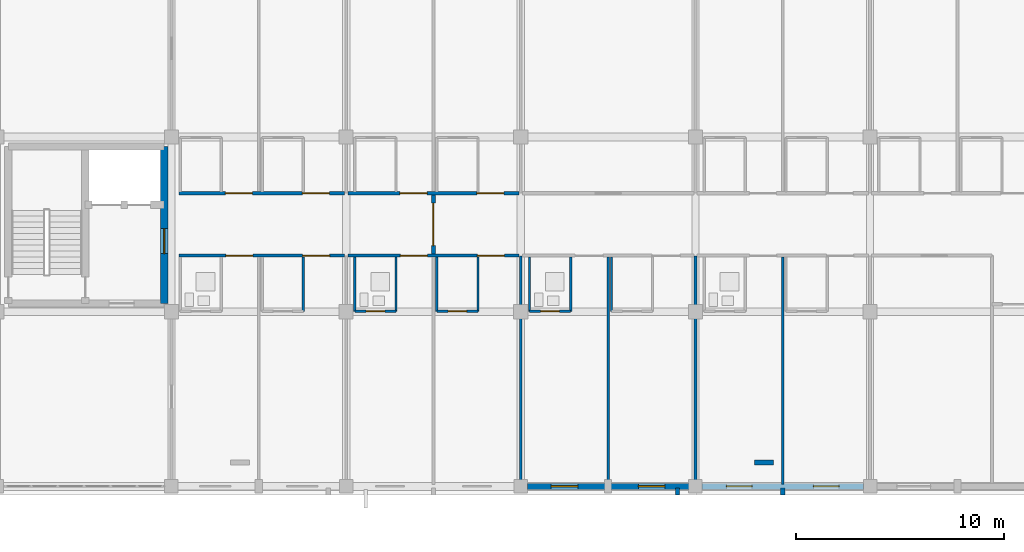
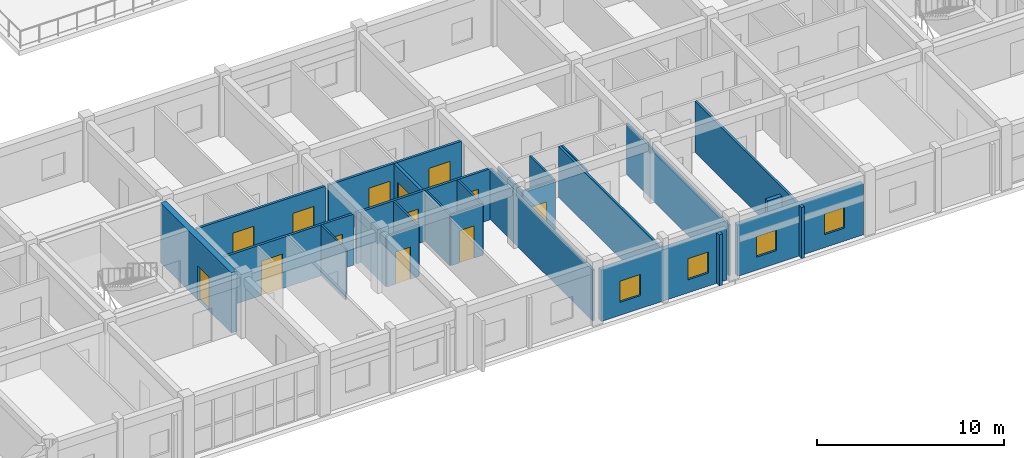
# One storey, part 62 of 90: 26 walls, 13 doors, 4 windows, 17 openings.
"""IFC4 building model written with IfcOpenShell, lengths in metres."""

from ifc_helpers import new_model, si_unit, direction, frame, frame_2d, origin, place, context, subcontext, project, spatial, rectangle, extrude, material, layer, layer_set, type_object, element, fill, save


model = new_model("IFC4")

# Units and contexts
model_context = context("Model", 3, precision=1e-05, world=origin(), true_north=direction((0.0, 1.0)))
body_context = subcontext(model_context, "Body", "Model", "MODEL_VIEW")
ifc_project = project(units=[si_unit("LENGTHUNIT", "METRE"), si_unit("AREAUNIT", "SQUARE_METRE"), si_unit("VOLUMEUNIT", "CUBIC_METRE"), si_unit("PLANEANGLEUNIT", "RADIAN"), si_unit("MASSUNIT", "GRAM", prefix="KILO")], contexts=[model_context])

# Site, building, storey
site_placement = place(None, origin())
site = spatial("IfcSite", under=ifc_project, at=site_placement, CompositionType="ELEMENT")
building_placement = place(site_placement, origin())
building = spatial("IfcBuilding", under=site, at=building_placement, Name="Trelvath General Hospital", CompositionType="ELEMENT")
storey_placement = place(building_placement, frame((0.0, 0.0, 20.39990234375)))
storey = spatial("IfcBuildingStorey", under=building, at=storey_placement, Name="L05", CompositionType="ELEMENT", Elevation=20.39990234375)

# Walls
ifc_material_1 = material(Name="Precast concrete C40/50", Category="concrete")
ifc_layer_1 = layer(ifc_material_1, 0.199951171875)
ifc_layer_set_1 = layer_set([ifc_layer_1], Name="Precast concrete C40/50")
wall_type_1 = type_object("IfcWallType", Name="BriseSoleilRib 200", PredefinedType="ELEMENTEDWALL", material=ifc_layer_set_1)
for number, where, z_axis, x_axis, name in (
    (1, (74.73681640625, -0.074951171875, 0.0), (0.0, 0.0, 1.0), (0.0, -1.0, 0.0), "Precast Concrete Brise-Soleil Rib Fin L05-378"),
    (2, (79.800048828125, -0.074951171875, 0.0), (0.0, 0.0, 1.0), (0.0, -1.0, 0.0), "Precast Concrete Brise-Soleil Rib Fin L05-382"),
):
    element("IfcWall", number, at=place(storey_placement, frame(where, z_axis=z_axis, x_axis=x_axis)), inside=storey, type_object=wall_type_1, Name=name, PredefinedType="ELEMENTEDWALL", context=body_context, shape_type="SweptSolid", body=[
        extrude(rectangle(XDim=0.340087890625, YDim=0.199951171875, at=frame_2d((0.169921875, 0.0))), origin(), (0.0, 0.0, 1.0), 3.320068359375),
    ])

# Wall, openings, doors
ifc_material_2 = material(Name="Gypsum acoustic steel-stud partition", Category="steel")
ifc_layer_2 = layer(ifc_material_2, 0.14990234375)
ifc_layer_set_2 = layer_set([ifc_layer_2], Name="Gypsum acoustic steel-stud partition")
wall_type_2 = type_object("IfcWallType", Name="ClinicalPartition 150", PredefinedType="PARTITIONING", material=ifc_layer_set_2)
wall_1_placement = place(storey_placement, frame((50.760009765625, 11.10009765625, 0.0), z_axis=(0.0, 0.0, 1.0), x_axis=(1.0, 0.0, 0.0)))
wall_1 = element("IfcWall", 3, at=wall_1_placement, inside=storey, type_object=wall_type_2, Name="Corridor Partition L05-1759", PredefinedType="PARTITIONING", context=body_context, shape_type="SweptSolid", body=[
    extrude(rectangle(XDim=7.9599609375, YDim=0.14990234375, at=frame_2d((3.97998046875, 0.0))), origin(), (0.0, 0.0, 1.0), 3.320068359375),
])
opening_1_placement = place(wall_1_placement, frame((2.25, 0.0, 0.0)))
opening_1 = element("IfcOpeningElement", 4, at=opening_1_placement, cuts=wall_1, Name="Opening D-5-1172", PredefinedType="OPENING", context=body_context, shape_type="SweptSolid", body=[
    extrude(rectangle(XDim=1.300048828125, YDim=2.25, at=frame_2d((0.64990234375, 1.125))), frame((0.0, 0.0849609375, 0.0), z_axis=(0.0, -1.0, 0.0), x_axis=(1.0, 0.0, 0.0)), (0.0, 0.0, 1.0), 0.169921875),
])
opening_2_placement = place(wall_1_placement, frame((5.949951171875, 0.0, 0.0)))
opening_2 = element("IfcOpeningElement", 5, at=opening_2_placement, cuts=wall_1, Name="Opening D-5-1173", PredefinedType="OPENING", context=body_context, shape_type="SweptSolid", body=[
    extrude(rectangle(XDim=1.300048828125, YDim=2.25, at=frame_2d((0.64990234375, 1.125))), frame((0.0, 0.0849609375, 0.0), z_axis=(0.0, -1.0, 0.0), x_axis=(1.0, 0.0, 0.0)), (0.0, 0.0, 1.0), 0.169921875),
])
ifc_material_3 = material(Name="Hospital bed-leaf timber door", Category="wood")
door_type_1 = type_object("IfcDoorType", Name="Door PatientBed 1300x2250", OperationType="NOTDEFINED", PredefinedType="DOOR", material=ifc_material_3)
door_1_placement = place(opening_1_placement, origin())
door_1 = element("IfcDoor", 6, at=door_1_placement, inside=storey, type_object=door_type_1, Name="Patient Room Door L05-1172", OperationType="SINGLE_SWING_RIGHT", OverallHeight=2.25, OverallWidth=1.300048828125, PredefinedType="DOOR", context=body_context, shape_type="SweptSolid", body=[
    extrude(rectangle(XDim=1.300048828125, YDim=2.25, at=frame_2d((0.64990234375, 1.125))), frame((0.0, 0.02490234375, 0.0), z_axis=(0.0, -1.0, 0.0), x_axis=(1.0, 0.0, 0.0)), (0.0, 0.0, 1.0), 0.050048828125),
])
fill(opening_1, door_1)
door_2_placement = place(opening_2_placement, origin())
door_2 = element("IfcDoor", 7, at=door_2_placement, inside=storey, type_object=door_type_1, Name="Patient Room Door L05-1173", OperationType="SINGLE_SWING_LEFT", OverallHeight=2.25, OverallWidth=1.300048828125, PredefinedType="DOOR", context=body_context, shape_type="SweptSolid", body=[
    extrude(rectangle(XDim=1.300048828125, YDim=2.25, at=frame_2d((0.64990234375, 1.125))), frame((0.0, 0.02490234375, 0.0), z_axis=(0.0, -1.0, 0.0), x_axis=(1.0, 0.0, 0.0)), (0.0, 0.0, 1.0), 0.050048828125),
])
fill(opening_2, door_2)

wall_2_placement = place(storey_placement, frame((58.719970703125, 14.10009765625, 0.0), z_axis=(0.0, 0.0, 1.0), x_axis=(-1.0, 0.0, 0.0)))
wall_2 = element("IfcWall", 8, at=wall_2_placement, inside=storey, type_object=wall_type_2, Name="Corridor Partition N L05-1768", PredefinedType="PARTITIONING", context=body_context, shape_type="SweptSolid", body=[
    extrude(rectangle(XDim=7.9599609375, YDim=0.14990234375, at=frame_2d((3.97998046875, 0.0))), origin(), (0.0, 0.0, 1.0), 3.320068359375),
])
opening_3_placement = place(wall_2_placement, frame((0.72998046875, 0.0, 0.0)))
opening_3 = element("IfcOpeningElement", 9, at=opening_3_placement, cuts=wall_2, Name="Opening D-5-1176", PredefinedType="OPENING", context=body_context, shape_type="SweptSolid", body=[
    extrude(rectangle(XDim=1.300048828125, YDim=2.25, at=frame_2d((0.64990234375, 1.125))), frame((0.0, 0.0849609375, 0.0), z_axis=(0.0, -1.0, 0.0), x_axis=(1.0, 0.0, 0.0)), (0.0, 0.0, 1.0), 0.169921875),
])
opening_4_placement = place(wall_2_placement, frame((4.429931640625, 0.0, 0.0)))
opening_4 = element("IfcOpeningElement", 10, at=opening_4_placement, cuts=wall_2, Name="Opening D-5-1177", PredefinedType="OPENING", context=body_context, shape_type="SweptSolid", body=[
    extrude(rectangle(XDim=1.300048828125, YDim=2.25, at=frame_2d((0.64990234375, 1.125))), frame((0.0, 0.0849609375, 0.0), z_axis=(0.0, -1.0, 0.0), x_axis=(1.0, 0.0, 0.0)), (0.0, 0.0, 1.0), 0.169921875),
])
door_3_placement = place(opening_3_placement, origin())
door_3 = element("IfcDoor", 11, at=door_3_placement, inside=storey, type_object=door_type_1, Name="Patient Room Door N L05-1176", OperationType="SINGLE_SWING_RIGHT", OverallHeight=2.25, OverallWidth=1.300048828125, PredefinedType="DOOR", context=body_context, shape_type="SweptSolid", body=[
    extrude(rectangle(XDim=1.300048828125, YDim=2.25, at=frame_2d((0.64990234375, 1.125))), frame((0.0, 0.02490234375, 0.0), z_axis=(0.0, -1.0, 0.0), x_axis=(1.0, 0.0, 0.0)), (0.0, 0.0, 1.0), 0.050048828125),
])
fill(opening_3, door_3)
door_4_placement = place(opening_4_placement, origin())
door_4 = element("IfcDoor", 12, at=door_4_placement, inside=storey, type_object=door_type_1, Name="Patient Room Door N L05-1177", OperationType="SINGLE_SWING_RIGHT", OverallHeight=2.25, OverallWidth=1.300048828125, PredefinedType="DOOR", context=body_context, shape_type="SweptSolid", body=[
    extrude(rectangle(XDim=1.300048828125, YDim=2.25, at=frame_2d((0.64990234375, 1.125))), frame((0.0, 0.02490234375, 0.0), z_axis=(0.0, -1.0, 0.0), x_axis=(1.0, 0.0, 0.0)), (0.0, 0.0, 1.0), 0.050048828125),
])
fill(opening_4, door_4)

wall_3_placement = place(storey_placement, frame((58.8798828125, 11.10009765625, 0.0), z_axis=(0.0, 0.0, 1.0), x_axis=(1.0, 0.0, 0.0)))
wall_3 = element("IfcWall", 13, at=wall_3_placement, inside=storey, type_object=wall_type_2, Name="Corridor Partition L05-1778", PredefinedType="PARTITIONING", context=body_context, shape_type="SweptSolid", body=[
    extrude(rectangle(XDim=8.240234375, YDim=0.14990234375, at=frame_2d((4.1201171875, 0.0))), origin(), (0.0, 0.0, 1.0), 3.320068359375),
])
opening_5_placement = place(wall_3_placement, frame((2.530029296875, 0.0, 0.0)))
opening_5 = element("IfcOpeningElement", 14, at=opening_5_placement, cuts=wall_3, Name="Opening D-5-1180", PredefinedType="OPENING", context=body_context, shape_type="SweptSolid", body=[
    extrude(rectangle(XDim=1.300048828125, YDim=2.25, at=frame_2d((0.64990234375, 1.125))), frame((0.0, 0.0849609375, 0.0), z_axis=(0.0, -1.0, 0.0), x_axis=(1.0, 0.0, 0.0)), (0.0, 0.0, 1.0), 0.169921875),
])
opening_6_placement = place(wall_3_placement, frame((6.22998046875, 0.0, 0.0)))
opening_6 = element("IfcOpeningElement", 15, at=opening_6_placement, cuts=wall_3, Name="Opening D-5-1181", PredefinedType="OPENING", context=body_context, shape_type="SweptSolid", body=[
    extrude(rectangle(XDim=1.300048828125, YDim=2.25, at=frame_2d((0.64990234375, 1.125))), frame((0.0, 0.0849609375, 0.0), z_axis=(0.0, -1.0, 0.0), x_axis=(1.0, 0.0, 0.0)), (0.0, 0.0, 1.0), 0.169921875),
])
door_5_placement = place(opening_5_placement, origin())
door_5 = element("IfcDoor", 16, at=door_5_placement, inside=storey, type_object=door_type_1, Name="Patient Room Door L05-1180", OperationType="SINGLE_SWING_LEFT", OverallHeight=2.25, OverallWidth=1.300048828125, PredefinedType="DOOR", context=body_context, shape_type="SweptSolid", body=[
    extrude(rectangle(XDim=1.300048828125, YDim=2.25, at=frame_2d((0.64990234375, 1.125))), frame((0.0, 0.02490234375, 0.0), z_axis=(0.0, -1.0, 0.0), x_axis=(1.0, 0.0, 0.0)), (0.0, 0.0, 1.0), 0.050048828125),
])
fill(opening_5, door_5)
door_6_placement = place(opening_6_placement, origin())
door_6 = element("IfcDoor", 17, at=door_6_placement, inside=storey, type_object=door_type_1, Name="Patient Room Door L05-1181", OperationType="SINGLE_SWING_RIGHT", OverallHeight=2.25, OverallWidth=1.300048828125, PredefinedType="DOOR", context=body_context, shape_type="SweptSolid", body=[
    extrude(rectangle(XDim=1.300048828125, YDim=2.25, at=frame_2d((0.64990234375, 1.125))), frame((0.0, 0.02490234375, 0.0), z_axis=(0.0, -1.0, 0.0), x_axis=(1.0, 0.0, 0.0)), (0.0, 0.0, 1.0), 0.050048828125),
])
fill(opening_6, door_6)

wall_4_placement = place(storey_placement, frame((67.1201171875, 14.10009765625, 0.0), z_axis=(0.0, 0.0, 1.0), x_axis=(-1.0, 0.0, 0.0)))
wall_4 = element("IfcWall", 18, at=wall_4_placement, inside=storey, type_object=wall_type_2, Name="Corridor Partition N L05-1786", PredefinedType="PARTITIONING", context=body_context, shape_type="SweptSolid", body=[
    extrude(rectangle(XDim=8.240234375, YDim=0.14990234375, at=frame_2d((4.1201171875, 0.0))), origin(), (0.0, 0.0, 1.0), 3.320068359375),
])
opening_7_placement = place(wall_4_placement, frame((0.72998046875, 0.0, 0.0)))
opening_7 = element("IfcOpeningElement", 19, at=opening_7_placement, cuts=wall_4, Name="Opening D-5-1184", PredefinedType="OPENING", context=body_context, shape_type="SweptSolid", body=[
    extrude(rectangle(XDim=1.300048828125, YDim=2.25, at=frame_2d((0.64990234375, 1.125))), frame((0.0, 0.0849609375, 0.0), z_axis=(0.0, -1.0, 0.0), x_axis=(1.0, 0.0, 0.0)), (0.0, 0.0, 1.0), 0.169921875),
])
opening_8_placement = place(wall_4_placement, frame((4.429931640625, 0.0, 0.0)))
opening_8 = element("IfcOpeningElement", 20, at=opening_8_placement, cuts=wall_4, Name="Opening D-5-1185", PredefinedType="OPENING", context=body_context, shape_type="SweptSolid", body=[
    extrude(rectangle(XDim=1.300048828125, YDim=2.25, at=frame_2d((0.64990234375, 1.125))), frame((0.0, 0.0849609375, 0.0), z_axis=(0.0, -1.0, 0.0), x_axis=(1.0, 0.0, 0.0)), (0.0, 0.0, 1.0), 0.169921875),
])
door_7_placement = place(opening_7_placement, origin())
door_7 = element("IfcDoor", 21, at=door_7_placement, inside=storey, type_object=door_type_1, Name="Patient Room Door N L05-1184", OperationType="SINGLE_SWING_LEFT", OverallHeight=2.25, OverallWidth=1.300048828125, PredefinedType="DOOR", context=body_context, shape_type="SweptSolid", body=[
    extrude(rectangle(XDim=1.300048828125, YDim=2.25, at=frame_2d((0.64990234375, 1.125))), frame((0.0, 0.02490234375, 0.0), z_axis=(0.0, -1.0, 0.0), x_axis=(1.0, 0.0, 0.0)), (0.0, 0.0, 1.0), 0.050048828125),
])
fill(opening_7, door_7)
door_8_placement = place(opening_8_placement, origin())
door_8 = element("IfcDoor", 22, at=door_8_placement, inside=storey, type_object=door_type_1, Name="Patient Room Door N L05-1185", OperationType="SINGLE_SWING_LEFT", OverallHeight=2.25, OverallWidth=1.300048828125, PredefinedType="DOOR", context=body_context, shape_type="SweptSolid", body=[
    extrude(rectangle(XDim=1.300048828125, YDim=2.25, at=frame_2d((0.64990234375, 1.125))), frame((0.0, 0.02490234375, 0.0), z_axis=(0.0, -1.0, 0.0), x_axis=(1.0, 0.0, 0.0)), (0.0, 0.0, 1.0), 0.050048828125),
])
fill(opening_8, door_8)

# Wall, opening, door
ifc_material_4 = material(Name="Concrete C40/50", Category="concrete")
ifc_layer_3 = layer(ifc_material_4, 0.35009765625)
ifc_layer_set_3 = layer_set([ifc_layer_3], Name="Concrete C40/50")
wall_type_3 = type_object("IfcWallType", Name="CoreShearWall 350", PredefinedType="SHEAR", material=ifc_layer_set_3)
wall_5_placement = place(storey_placement, frame((50.050048828125, 8.800048828125, 0.0), z_axis=(0.0, 0.0, 1.0), x_axis=(0.0, 1.0, 0.0)))
wall_5 = element("IfcWall", 23, at=wall_5_placement, inside=storey, type_object=wall_type_3, Name="Core Shear Wall C4 E L05", PredefinedType="SHEAR", context=body_context, shape_type="SweptSolid", body=[
    extrude(rectangle(XDim=7.550048828125, YDim=0.35009765625, at=frame_2d((3.77490234375, 0.0))), origin(), (0.0, 0.0, 1.0), 3.920166015625),
])
opening_9_placement = place(wall_5_placement, frame((2.39990234375, 0.0, 0.0)))
opening_9 = element("IfcOpeningElement", 24, at=opening_9_placement, cuts=wall_5, Name="Opening FD-LE45", PredefinedType="OPENING", context=body_context, shape_type="SweptSolid", body=[
    extrude(rectangle(XDim=1.199951171875, YDim=2.199951171875, at=frame_2d((0.60009765625, 1.10009765625))), frame((0.0, 0.18505859375, 0.0), z_axis=(0.0, -1.0, 0.0), x_axis=(1.0, 0.0, 0.0)), (0.0, 0.0, 1.0), 0.3701171875),
])
ifc_material_5 = material(Name="Fire-rated steel door", Category="steel")
door_type_2 = type_object("IfcDoorType", Name="Door FireLobby 1200x2200", OperationType="NOTDEFINED", PredefinedType="DOOR", material=ifc_material_5)
door_9_placement = place(opening_9_placement, origin())
door_9 = element("IfcDoor", 25, at=door_9_placement, inside=storey, type_object=door_type_2, Name="Fire Lobby East Corridor Door C4 L05", OperationType="SINGLE_SWING_RIGHT", OverallHeight=2.199951171875, OverallWidth=1.199951171875, PredefinedType="DOOR", context=body_context, shape_type="SweptSolid", body=[
    extrude(rectangle(XDim=1.199951171875, YDim=2.199951171875, at=frame_2d((0.60009765625, 1.10009765625))), frame((0.0, 0.02490234375, 0.0), z_axis=(0.0, -1.0, 0.0), x_axis=(1.0, 0.0, 0.0)), (0.0, 0.0, 1.0), 0.050048828125),
])
fill(opening_9, door_9)

# Walls
ifc_material_6 = material(Name="Moisture-resistant tile partition")
ifc_layer_4 = layer(ifc_material_6, 0.110107421875)
ifc_layer_set_4 = layer_set([ifc_layer_4], Name="Moisture-resistant tile partition")
wall_type_4 = type_object("IfcWallType", Name="EnSuiteWetWall 110", PredefinedType="PARTITIONING", material=ifc_layer_set_4)
for number, where, z_axis, x_axis, name in (
    (26, (56.739990234375, 8.419921875, 0.0), (0.0, 0.0, 1.0), (0.0, 1.0, 0.0), "En-Suite E Wall L05-1765"),
    (27, (59.219970703125, 8.419921875, 0.0), (0.0, 0.0, 1.0), (0.0, 1.0, 0.0), "En-Suite W Wall L05-1780"),
    (28, (61.199951171875, 8.419921875, 0.0), (0.0, 0.0, 1.0), (0.0, 1.0, 0.0), "En-Suite E Wall L05-1781"),
):
    element("IfcWall", number, at=place(storey_placement, frame(where, z_axis=z_axis, x_axis=x_axis)), inside=storey, type_object=wall_type_4, Name=name, PredefinedType="PARTITIONING", context=body_context, shape_type="SweptSolid", body=[
        extrude(rectangle(XDim=2.610107421875, YDim=0.110107421875, at=frame_2d((1.30517578125, 0.0))), origin(), (0.0, 0.0, 1.0), 3.320068359375),
    ])

# Wall, opening, door
wall_6_placement = place(storey_placement, frame((59.219970703125, 8.419921875, 0.0), z_axis=(0.0, 0.0, 1.0), x_axis=(1.0, 0.0, 0.0)))
wall_6 = element("IfcWall", 29, at=wall_6_placement, inside=storey, type_object=wall_type_4, Name="En-Suite Bathroom Partition L05-1782", PredefinedType="PARTITIONING", context=body_context, shape_type="SweptSolid", body=[
    extrude(rectangle(XDim=1.97998046875, YDim=0.110107421875, at=frame_2d((0.989990234375, 0.0))), origin(), (0.0, 0.0, 1.0), 3.320068359375),
])
opening_10_placement = place(wall_6_placement, frame((0.5400390625, 0.0, 0.0)))
opening_10 = element("IfcOpeningElement", 30, at=opening_10_placement, cuts=wall_6, Name="Opening D-5-1182", PredefinedType="OPENING", context=body_context, shape_type="SweptSolid", body=[
    extrude(rectangle(XDim=0.89990234375, YDim=2.10009765625, at=frame_2d((0.449951171875, 1.050048828125))), frame((0.0, 0.06494140625, 0.0), z_axis=(0.0, -1.0, 0.0), x_axis=(1.0, 0.0, 0.0)), (0.0, 0.0, 1.0), 0.130126953125),
])
ifc_material_7 = material(Name="Moisture-sealed timber leaf", Category="wood")
door_type_3 = type_object("IfcDoorType", Name="Door EnSuite 900x2100", OperationType="NOTDEFINED", PredefinedType="DOOR", material=ifc_material_7)
door_10_placement = place(opening_10_placement, origin())
door_10 = element("IfcDoor", 31, at=door_10_placement, inside=storey, type_object=door_type_3, Name="En-Suite Bathroom Door L05-1182", OperationType="SINGLE_SWING_LEFT", OverallHeight=2.10009765625, OverallWidth=0.89990234375, PredefinedType="DOOR", context=body_context, shape_type="SweptSolid", body=[
    extrude(rectangle(XDim=0.89990234375, YDim=2.10009765625, at=frame_2d((0.449951171875, 1.050048828125))), frame((0.0, 0.02490234375, 0.0), z_axis=(0.0, -1.0, 0.0), x_axis=(1.0, 0.0, 0.0)), (0.0, 0.0, 1.0), 0.050048828125),
])
fill(opening_10, door_10)

# Walls
for number, where, z_axis, x_axis, name in (
    (32, (63.159912109375, 8.419921875, 0.0), (0.0, 0.0, 1.0), (0.0, 1.0, 0.0), "En-Suite W Wall L05-1783"),
    (33, (65.139892578125, 8.419921875, 0.0), (0.0, 0.0, 1.0), (0.0, 1.0, 0.0), "En-Suite E Wall L05-1784"),
):
    element("IfcWall", number, at=place(storey_placement, frame(where, z_axis=z_axis, x_axis=x_axis)), inside=storey, type_object=wall_type_4, Name=name, PredefinedType="PARTITIONING", context=body_context, shape_type="SweptSolid", body=[
        extrude(rectangle(XDim=2.610107421875, YDim=0.110107421875, at=frame_2d((1.30517578125, 0.0))), origin(), (0.0, 0.0, 1.0), 3.320068359375),
    ])

# Wall, opening, door
wall_7_placement = place(storey_placement, frame((63.159912109375, 8.419921875, 0.0), z_axis=(0.0, 0.0, 1.0), x_axis=(1.0, 0.0, 0.0)))
wall_7 = element("IfcWall", 34, at=wall_7_placement, inside=storey, type_object=wall_type_4, Name="En-Suite Bathroom Partition L05-1785", PredefinedType="PARTITIONING", context=body_context, shape_type="SweptSolid", body=[
    extrude(rectangle(XDim=1.97998046875, YDim=0.110107421875, at=frame_2d((0.989990234375, 0.0))), origin(), (0.0, 0.0, 1.0), 3.320068359375),
])
opening_11_placement = place(wall_7_placement, frame((0.5400390625, 0.0, 0.0)))
opening_11 = element("IfcOpeningElement", 35, at=opening_11_placement, cuts=wall_7, Name="Opening D-5-1183", PredefinedType="OPENING", context=body_context, shape_type="SweptSolid", body=[
    extrude(rectangle(XDim=0.89990234375, YDim=2.10009765625, at=frame_2d((0.449951171875, 1.050048828125))), frame((0.0, 0.06494140625, 0.0), z_axis=(0.0, -1.0, 0.0), x_axis=(1.0, 0.0, 0.0)), (0.0, 0.0, 1.0), 0.130126953125),
])
door_11_placement = place(opening_11_placement, origin())
door_11 = element("IfcDoor", 36, at=door_11_placement, inside=storey, type_object=door_type_3, Name="En-Suite Bathroom Door L05-1183", OperationType="SINGLE_SWING_RIGHT", OverallHeight=2.10009765625, OverallWidth=0.89990234375, PredefinedType="DOOR", context=body_context, shape_type="SweptSolid", body=[
    extrude(rectangle(XDim=0.89990234375, YDim=2.10009765625, at=frame_2d((0.449951171875, 1.050048828125))), frame((0.0, 0.02490234375, 0.0), z_axis=(0.0, -1.0, 0.0), x_axis=(1.0, 0.0, 0.0)), (0.0, 0.0, 1.0), 0.050048828125),
])
fill(opening_11, door_11)

# Walls
for number, where, z_axis, x_axis, name in (
    (37, (67.6201171875, 8.419921875, 0.0), (0.0, 0.0, 1.0), (0.0, 1.0, 0.0), "En-Suite W Wall L05-1799"),
    (38, (69.60009765625, 8.419921875, 0.0), (0.0, 0.0, 1.0), (0.0, 1.0, 0.0), "En-Suite E Wall L05-1800"),
):
    element("IfcWall", number, at=place(storey_placement, frame(where, z_axis=z_axis, x_axis=x_axis)), inside=storey, type_object=wall_type_4, Name=name, PredefinedType="PARTITIONING", context=body_context, shape_type="SweptSolid", body=[
        extrude(rectangle(XDim=2.610107421875, YDim=0.110107421875, at=frame_2d((1.30517578125, 0.0))), origin(), (0.0, 0.0, 1.0), 3.320068359375),
    ])

# Wall, opening, door
wall_8_placement = place(storey_placement, frame((67.6201171875, 8.419921875, 0.0), z_axis=(0.0, 0.0, 1.0), x_axis=(1.0, 0.0, 0.0)))
wall_8 = element("IfcWall", 39, at=wall_8_placement, inside=storey, type_object=wall_type_4, Name="En-Suite Bathroom Partition L05-1801", PredefinedType="PARTITIONING", context=body_context, shape_type="SweptSolid", body=[
    extrude(rectangle(XDim=1.97998046875, YDim=0.110107421875, at=frame_2d((0.989990234375, 0.0))), origin(), (0.0, 0.0, 1.0), 3.320068359375),
])
opening_12_placement = place(wall_8_placement, frame((0.5400390625, 0.0, 0.0)))
opening_12 = element("IfcOpeningElement", 40, at=opening_12_placement, cuts=wall_8, Name="Opening D-5-1191", PredefinedType="OPENING", context=body_context, shape_type="SweptSolid", body=[
    extrude(rectangle(XDim=0.89990234375, YDim=2.10009765625, at=frame_2d((0.449951171875, 1.050048828125))), frame((0.0, 0.06494140625, 0.0), z_axis=(0.0, -1.0, 0.0), x_axis=(1.0, 0.0, 0.0)), (0.0, 0.0, 1.0), 0.130126953125),
])
door_12_placement = place(opening_12_placement, origin())
door_12 = element("IfcDoor", 41, at=door_12_placement, inside=storey, type_object=door_type_3, Name="En-Suite Bathroom Door L05-1191", OperationType="SINGLE_SWING_RIGHT", OverallHeight=2.10009765625, OverallWidth=0.89990234375, PredefinedType="DOOR", context=body_context, shape_type="SweptSolid", body=[
    extrude(rectangle(XDim=0.89990234375, YDim=2.10009765625, at=frame_2d((0.449951171875, 1.050048828125))), frame((0.0, 0.02490234375, 0.0), z_axis=(0.0, -1.0, 0.0), x_axis=(1.0, 0.0, 0.0)), (0.0, 0.0, 1.0), 0.050048828125),
])
fill(opening_12, door_12)

# Wall
wall_9_placement = place(storey_placement, frame((71.56005859375, 8.419921875, 0.0), z_axis=(0.0, 0.0, 1.0), x_axis=(0.0, 1.0, 0.0)))
element("IfcWall", 42, at=wall_9_placement, inside=storey, type_object=wall_type_4, Name="En-Suite W Wall L05-1802", PredefinedType="PARTITIONING", context=body_context, shape_type="SweptSolid", body=[
    extrude(rectangle(XDim=2.610107421875, YDim=0.110107421875, at=frame_2d((1.30517578125, 0.0))), origin(), (0.0, 0.0, 1.0), 3.320068359375),
])

# Wall, openings, windows
ifc_material_8 = material(Name="Concrete C35/45", Category="concrete")
ifc_layer_5 = layer(ifc_material_8, 0.2900390625)
ifc_layer_set_5 = layer_set([ifc_layer_5], Name="Concrete C35/45")
wall_type_5 = type_object("IfcWallType", Name="ExtBushHammeredWall 290", PredefinedType="SOLIDWALL", material=ifc_layer_set_5)
wall_10_placement = place(storey_placement, frame((75.280029296875, 0.0, 0.0), z_axis=(0.0, 0.0, 1.0), x_axis=(-1.0, 0.0, 0.0)))
wall_10 = element("IfcWall", 43, at=wall_10_placement, inside=storey, type_object=wall_type_5, Name="Exterior Concrete Wall L05-512", PredefinedType="SOLIDWALL", context=body_context, shape_type="SweptSolid", body=[
    extrude(rectangle(XDim=7.760009765625, YDim=0.2900390625, at=frame_2d((3.8798828125, 0.0))), origin(), (0.0, 0.0, 1.0), 3.340087890625),
])
opening_13_placement = place(wall_10_placement, frame((1.144775390625, 0.0, 0.85009765625)))
opening_13 = element("IfcOpeningElement", 44, at=opening_13_placement, cuts=wall_10, Name="Opening WN-5-849", PredefinedType="OPENING", context=body_context, shape_type="SweptSolid", body=[
    extrude(rectangle(XDim=1.280029296875, YDim=1.3798828125, at=frame_2d((0.64013671875, 0.68994140625))), frame((0.0, 0.155029296875, 0.0), z_axis=(0.0, -1.0, 0.0), x_axis=(1.0, 0.0, 0.0)), (0.0, 0.0, 1.0), 0.31005859375),
])
opening_14_placement = place(wall_10_placement, frame((5.335205078125, 0.0, 0.85009765625)))
opening_14 = element("IfcOpeningElement", 45, at=opening_14_placement, cuts=wall_10, Name="Opening WN-5-850", PredefinedType="OPENING", context=body_context, shape_type="SweptSolid", body=[
    extrude(rectangle(XDim=1.280029296875, YDim=1.3798828125, at=frame_2d((0.64013671875, 0.68994140625))), frame((0.0, 0.155029296875, 0.0), z_axis=(0.0, -1.0, 0.0), x_axis=(1.0, 0.0, 0.0)), (0.0, 0.0, 1.0), 0.31005859375),
])
ifc_material_9 = material(Name="Low-E laminated glass", Category="glass")
window_type_1 = type_object("IfcWindowType", Name="Window Telemetry 1280x1380", PartitioningType="DOUBLE_PANEL_VERTICAL", PredefinedType="WINDOW", material=ifc_material_9)
window_1_placement = place(opening_13_placement, origin())
window_1 = element("IfcWindow", 46, at=window_1_placement, inside=storey, type_object=window_type_1, Name="Solar Reveal Window L05-849", OverallHeight=1.3798828125, OverallWidth=1.280029296875, PartitioningType="SINGLE_PANEL", PredefinedType="WINDOW", context=body_context, shape_type="SweptSolid", body=[
    extrude(rectangle(XDim=1.280029296875, YDim=1.3798828125, at=frame_2d((0.64013671875, 0.68994140625))), frame((0.0, 0.030029296875, 0.0), z_axis=(0.0, -1.0, 0.0), x_axis=(1.0, 0.0, 0.0)), (0.0, 0.0, 1.0), 0.06005859375),
])
fill(opening_13, window_1)
window_2_placement = place(opening_14_placement, origin())
window_2 = element("IfcWindow", 47, at=window_2_placement, inside=storey, type_object=window_type_1, Name="Solar Reveal Window L05-850", OverallHeight=1.3798828125, OverallWidth=1.280029296875, PartitioningType="SINGLE_PANEL", PredefinedType="WINDOW", context=body_context, shape_type="SweptSolid", body=[
    extrude(rectangle(XDim=1.280029296875, YDim=1.3798828125, at=frame_2d((0.64013671875, 0.68994140625))), frame((0.0, 0.030029296875, 0.0), z_axis=(0.0, -1.0, 0.0), x_axis=(1.0, 0.0, 0.0)), (0.0, 0.0, 1.0), 0.06005859375),
])
fill(opening_14, window_2)

wall_11_placement = place(storey_placement, frame((83.679931640625, 0.0, 0.0), z_axis=(0.0, 0.0, 1.0), x_axis=(-1.0, 0.0, 0.0)))
wall_11 = element("IfcWall", 48, at=wall_11_placement, inside=storey, type_object=wall_type_5, Name="Exterior Concrete Wall L05-516", PredefinedType="SOLIDWALL", context=body_context, shape_type="SweptSolid", body=[
    extrude(rectangle(XDim=7.760009765625, YDim=0.2900390625, at=frame_2d((3.8798828125, 0.0))), origin(), (0.0, 0.0, 1.0), 3.340087890625),
])
opening_15_placement = place(wall_11_placement, frame((1.164794921875, 0.0, 0.85009765625)))
opening_15 = element("IfcOpeningElement", 49, at=opening_15_placement, cuts=wall_11, Name="Opening WN-5-857", PredefinedType="OPENING", context=body_context, shape_type="SweptSolid", body=[
    extrude(rectangle(XDim=1.239990234375, YDim=1.340087890625, at=frame_2d((0.6201171875, 0.669921875))), frame((0.0, 0.155029296875, 0.0), z_axis=(0.0, -1.0, 0.0), x_axis=(1.0, 0.0, 0.0)), (0.0, 0.0, 1.0), 0.31005859375),
])
opening_16_placement = place(wall_11_placement, frame((5.355224609375, 0.0, 0.85009765625)))
opening_16 = element("IfcOpeningElement", 50, at=opening_16_placement, cuts=wall_11, Name="Opening WN-5-858", PredefinedType="OPENING", context=body_context, shape_type="SweptSolid", body=[
    extrude(rectangle(XDim=1.239990234375, YDim=1.340087890625, at=frame_2d((0.6201171875, 0.669921875))), frame((0.0, 0.155029296875, 0.0), z_axis=(0.0, -1.0, 0.0), x_axis=(1.0, 0.0, 0.0)), (0.0, 0.0, 1.0), 0.31005859375),
])
ifc_material_10 = material(Name="Low-E laminated glass", Category="glass")
window_type_2 = type_object("IfcWindowType", Name="Window Pharmacy 1240x1340", PartitioningType="DOUBLE_PANEL_VERTICAL", PredefinedType="WINDOW", material=ifc_material_10)
window_3_placement = place(opening_15_placement, origin())
window_3 = element("IfcWindow", 51, at=window_3_placement, inside=storey, type_object=window_type_2, Name="Solar Reveal Window L05-857", OverallHeight=1.340087890625, OverallWidth=1.239990234375, PartitioningType="SINGLE_PANEL", PredefinedType="WINDOW", context=body_context, shape_type="SweptSolid", body=[
    extrude(rectangle(XDim=1.239990234375, YDim=1.340087890625, at=frame_2d((0.6201171875, 0.669921875))), frame((0.0, 0.030029296875, 0.0), z_axis=(0.0, -1.0, 0.0), x_axis=(1.0, 0.0, 0.0)), (0.0, 0.0, 1.0), 0.06005859375),
])
fill(opening_15, window_3)
window_4_placement = place(opening_16_placement, origin())
window_4 = element("IfcWindow", 52, at=window_4_placement, inside=storey, type_object=window_type_2, Name="Solar Reveal Window L05-858", OverallHeight=1.340087890625, OverallWidth=1.239990234375, PartitioningType="SINGLE_PANEL", PredefinedType="WINDOW", context=body_context, shape_type="SweptSolid", body=[
    extrude(rectangle(XDim=1.239990234375, YDim=1.340087890625, at=frame_2d((0.6201171875, 0.669921875))), frame((0.0, 0.030029296875, 0.0), z_axis=(0.0, -1.0, 0.0), x_axis=(1.0, 0.0, 0.0)), (0.0, 0.0, 1.0), 0.06005859375),
])
fill(opening_16, window_4)

# Wall
ifc_material_11 = material(Name="Masonry service chase blockwork", Category="masonry")
ifc_layer_6 = layer(ifc_material_11, 0.239990234375)
ifc_layer_set_6 = layer_set([ifc_layer_6], Name="Masonry service chase blockwork")
wall_type_6 = type_object("IfcWallType", Name="PlumbingChaseWall 240", PredefinedType="PLUMBINGWALL", material=ifc_layer_set_6)
wall_12_placement = place(storey_placement, frame((78.449951171875, 1.14990234375, 0.0), z_axis=(0.0, 0.0, 1.0), x_axis=(1.0, 0.0, 0.0)))
element("IfcWall", 53, at=wall_12_placement, inside=storey, type_object=wall_type_6, Name="Medical Gas Plumbing Chase L05-1816", PredefinedType="PLUMBINGWALL", context=body_context, shape_type="SweptSolid", body=[
    extrude(rectangle(XDim=0.900146484375, YDim=0.239990234375, at=frame_2d((0.4501953125, 0.0))), origin(), (0.0, 0.0, 1.0), 3.320068359375),
])

# Wall, opening, door
ifc_material_12 = material(Name="Masonry fire blockwork", Category="masonry")
ifc_layer_7 = layer(ifc_material_12, 0.179931640625)
ifc_layer_set_7 = layer_set([ifc_layer_7], Name="Masonry fire blockwork")
wall_type_7 = type_object("IfcWallType", Name="SmokeBarrierWall 180", PredefinedType="PARTITIONING", material=ifc_layer_set_7)
wall_13_placement = place(storey_placement, frame((63.0, 11.179931640625, 0.0), z_axis=(0.0, 0.0, 1.0), x_axis=(0.0, 1.0, 0.0)))
wall_13 = element("IfcWall", 54, at=wall_13_placement, inside=storey, type_object=wall_type_7, Name="Smoke Compartment Barrier L05-1794", PredefinedType="PARTITIONING", context=body_context, shape_type="SweptSolid", body=[
    extrude(rectangle(XDim=2.840087890625, YDim=0.179931640625, at=frame_2d((1.419921875, 0.0))), origin(), (0.0, 0.0, 1.0), 3.320068359375),
])
opening_17_placement = place(wall_13_placement, frame((0.39501953125, 0.0, 0.0)))
opening_17 = element("IfcOpeningElement", 55, at=opening_17_placement, cuts=wall_13, Name="Opening SD-5-1188", PredefinedType="OPENING", context=body_context, shape_type="SweptSolid", body=[
    extrude(rectangle(XDim=2.050048828125, YDim=2.35009765625, at=frame_2d((1.02490234375, 1.175048828125))), frame((0.0, 0.099853515625, 0.0), z_axis=(0.0, -1.0, 0.0), x_axis=(1.0, 0.0, 0.0)), (0.0, 0.0, 1.0), 0.199951171875),
])
ifc_material_13 = material(Name="Fire-rated steel cross-corridor pair", Category="steel")
door_type_4 = type_object("IfcDoorType", Name="Door SmokeCross 2050x2350", OperationType="DOUBLE_SWING_LEFT", PredefinedType="DOOR", material=ifc_material_13)
door_13_placement = place(opening_17_placement, origin())
door_13 = element("IfcDoor", 56, at=door_13_placement, inside=storey, type_object=door_type_4, Name="Cross-Corridor Smoke Door L05-1188", OperationType="SLIDING_TO_LEFT", OverallHeight=2.35009765625, OverallWidth=2.050048828125, PredefinedType="DOOR", context=body_context, shape_type="SweptSolid", body=[
    extrude(rectangle(XDim=2.050048828125, YDim=2.35009765625, at=frame_2d((1.02490234375, 1.175048828125))), frame((0.0, 0.02490234375, 0.0), z_axis=(0.0, -1.0, 0.0), x_axis=(1.0, 0.0, 0.0)), (0.0, 0.0, 1.0), 0.050048828125),
])
fill(opening_17, door_13)

# Walls
ifc_material_14 = material(Name="Gypsum acoustic steel-stud partition", Category="steel")
ifc_layer_8 = layer(ifc_material_14, 0.1298828125)
ifc_layer_set_8 = layer_set([ifc_layer_8], Name="Gypsum acoustic steel-stud partition")
wall_type_8 = type_object("IfcWallType", Name="WardPartition 130", PredefinedType="PARTITIONING", material=ifc_layer_set_8)
wall_14_placement = place(storey_placement, frame((67.199951171875, 0.139892578125, 0.0), z_axis=(0.0, 0.0, 1.0), x_axis=(0.0, 1.0, 0.0)))
element("IfcWall", 57, at=wall_14_placement, inside=storey, type_object=wall_type_8, Name="Inter-Bay Ward Partition S L05-1795", PredefinedType="PARTITIONING", context=body_context, shape_type="SweptSolid", body=[
    extrude(rectangle(XDim=10.940185546875, YDim=0.1298828125, at=frame_2d((5.47021484375, 0.0))), origin(), (0.0, 0.0, 1.0), 3.320068359375),
])
wall_15_placement = place(storey_placement, frame((71.39990234375, 0.10009765625, 0.0), z_axis=(0.0, 0.0, 1.0), x_axis=(0.0, 1.0, 0.0)))
element("IfcWall", 58, at=wall_15_placement, inside=storey, type_object=wall_type_8, Name="Room Dividing Partition S L05-1798", PredefinedType="PARTITIONING", context=body_context, shape_type="SweptSolid", body=[
    extrude(rectangle(XDim=10.929931640625, YDim=0.1298828125, at=frame_2d((5.46484375, 0.0))), origin(), (0.0, 0.0, 1.0), 3.320068359375),
])
wall_16_placement = place(storey_placement, frame((75.60009765625, 0.139892578125, 0.0), z_axis=(0.0, 0.0, 1.0), x_axis=(0.0, 1.0, 0.0)))
element("IfcWall", 59, at=wall_16_placement, inside=storey, type_object=wall_type_8, Name="Inter-Bay Ward Partition S L05-1806", PredefinedType="PARTITIONING", context=body_context, shape_type="SweptSolid", body=[
    extrude(rectangle(XDim=10.940185546875, YDim=0.1298828125, at=frame_2d((5.47021484375, 0.0))), origin(), (0.0, 0.0, 1.0), 3.320068359375),
])
wall_17_placement = place(storey_placement, frame((79.800048828125, 0.10009765625, 0.0), z_axis=(0.0, 0.0, 1.0), x_axis=(0.0, 1.0, 0.0)))
element("IfcWall", 60, at=wall_17_placement, inside=storey, type_object=wall_type_8, Name="Room Dividing Partition S L05-1809", PredefinedType="PARTITIONING", context=body_context, shape_type="SweptSolid", body=[
    extrude(rectangle(XDim=10.929931640625, YDim=0.1298828125, at=frame_2d((5.46484375, 0.0))), origin(), (0.0, 0.0, 1.0), 3.320068359375),
])

save(model, "model.ifc")
